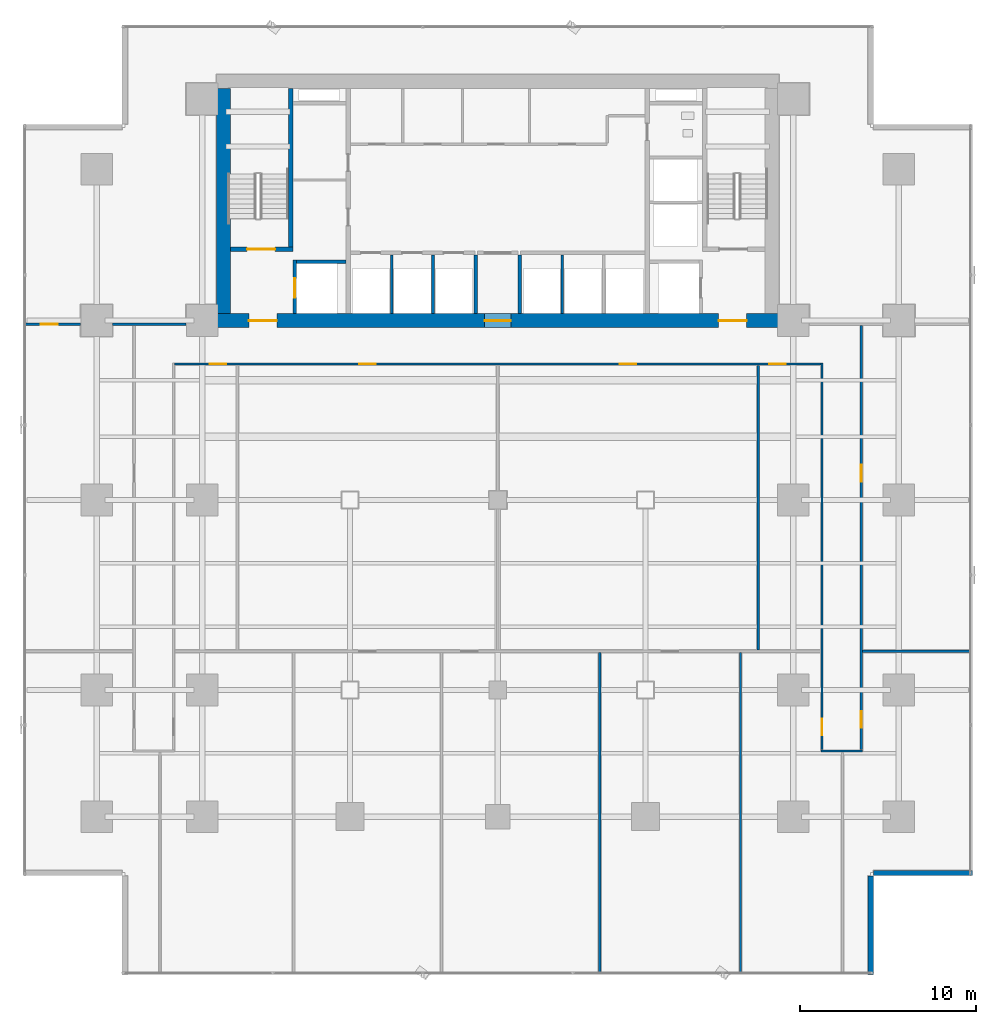
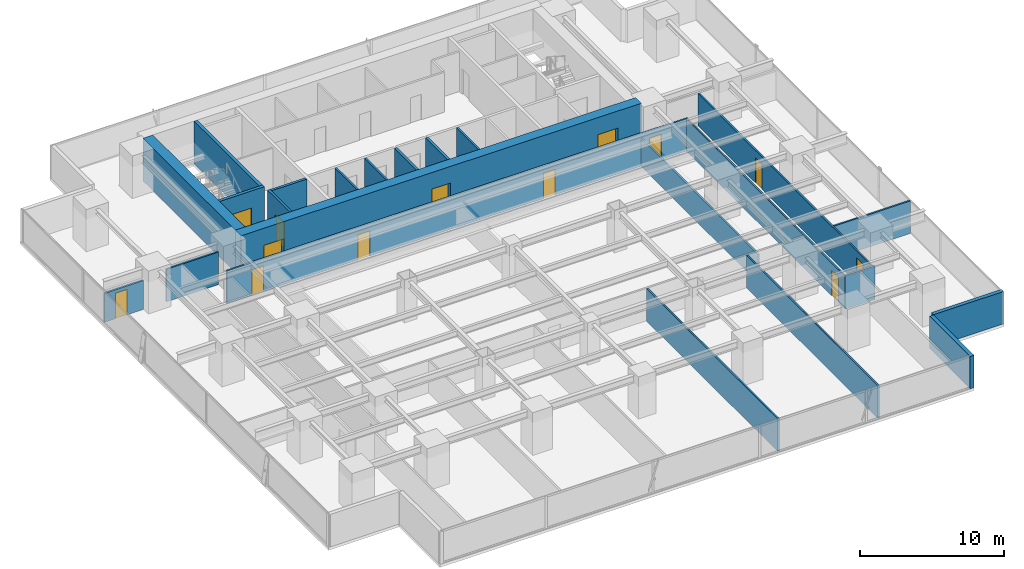
# One storey, part 25 of 34: 23 walls, 13 doors, 13 openings.
"""IFC4 building model written with IfcOpenShell, lengths in metres."""

import ifcopenshell
import ifcopenshell.guid

model = None  # the IFC model being written
_history = None  # IfcOwnerHistory: only IFC2X3 demands one
_inside = {}  # id of a spatial element -> (the spatial element, [elements in it])
_under = {}  # id of a project, library or spatial element -> (it, [spatial elements below it])
_declared = {}  # id of a project -> (the project, [libraries it declares])
_typed = {}  # id of a type object -> (the type object, [elements of that type])
_made_of = {}  # id of a material, layer set ... -> (it, [elements and type objects made of it])


def new_model(schema):
    """Start an empty IFC model of exactly this schema.

    Asked for "IFC4X3", IfcOpenShell would pick the latest addendum, in which some entities
    have other attributes; the version numbers below select the first issue.
    IFC2X3 requires an IfcOwnerHistory on every rooted entity: one is made here for all.
    """
    global model, _history
    if schema == "IFC4X3":
        model = ifcopenshell.file(schema_version=(4, 3, 0, 0))
    else:
        model = ifcopenshell.file(schema=schema)
    _inside.clear()
    _under.clear()
    _declared.clear()
    _typed.clear()
    _made_of.clear()
    _history = None
    if model.schema == "IFC2X3":
        org = make("IfcOrganization", Name="unknown")
        user = make(
            "IfcPersonAndOrganization",
            ThePerson=make("IfcPerson", FamilyName="unknown"),
            TheOrganization=org,
        )
        app = make(
            "IfcApplication",
            ApplicationDeveloper=org,
            Version="unknown",
            ApplicationFullName="unknown",
            ApplicationIdentifier="unknown",
        )
        _history = make(
            "IfcOwnerHistory",
            OwningUser=user,
            OwningApplication=app,
            ChangeAction="ADDED",
            CreationDate=0,
        )
    return model


def make(cls, **values):
    """One entity of the class cls with the attributes given. An attribute that is None is left unset."""
    return model.create_entity(
        cls, **{name: value for name, value in values.items() if value is not None}
    )


def rooted(cls, **values):
    """An entity with a GlobalId (a new one), such as an element, a storey or a relation."""
    return make(cls, GlobalId=ifcopenshell.guid.new(), OwnerHistory=_history, **values)


def si_unit(unit_type, name, prefix=None):
    """IfcSIUnit, for example si_unit("LENGTHUNIT", "METRE", prefix="MILLI")."""
    return make("IfcSIUnit", UnitType=unit_type, Prefix=prefix, Name=name)


def assignment(units):
    """IfcUnitAssignment: the units of a project."""
    return None if units is None else make("IfcUnitAssignment", Units=units)


def point(xyz):
    """IfcCartesianPoint."""
    return None if xyz is None else make("IfcCartesianPoint", Coordinates=xyz)


def direction(xyz):
    """IfcDirection."""
    return None if xyz is None else make("IfcDirection", DirectionRatios=xyz)


def frame(location, z_axis=None, x_axis=None):
    """IfcAxis2Placement3D, a coordinate frame: its origin and axes. An axis left out is left unset."""
    return make(
        "IfcAxis2Placement3D",
        Location=point(location),
        Axis=direction(z_axis),
        RefDirection=direction(x_axis),
    )


def frame_2d(location, x_axis=None):
    """IfcAxis2Placement2D, a coordinate frame in the plane: its origin and x axis."""
    return make(
        "IfcAxis2Placement2D", Location=point(location), RefDirection=direction(x_axis)
    )


def origin():
    """The frame at (0, 0, 0) with its axes left unset."""
    return frame((0.0, 0.0, 0.0))


def place(relative_to, where):
    """IfcLocalPlacement: puts the frame where relative to a parent placement (None: the world)."""
    return make(
        "IfcLocalPlacement", PlacementRelTo=relative_to, RelativePlacement=where
    )


def context(
    kind, dimensions, precision=None, world=None, true_north=None, identifier=None
):
    """IfcGeometricRepresentationContext, for example the 3D "Model" context."""
    return make(
        "IfcGeometricRepresentationContext",
        ContextIdentifier=identifier,
        ContextType=kind,
        CoordinateSpaceDimension=dimensions,
        Precision=precision,
        WorldCoordinateSystem=world,
        TrueNorth=true_north,
    )


def subcontext(parent, identifier, kind, view, scale=None):
    """IfcGeometricRepresentationSubContext, for example "Body" below "Model"."""
    return make(
        "IfcGeometricRepresentationSubContext",
        ContextIdentifier=identifier,
        ContextType=kind,
        ParentContext=parent,
        TargetScale=scale,
        TargetView=view,
    )


def project(units=None, contexts=None):
    """IfcProject with its units and contexts."""
    return rooted(
        "IfcProject",
        Name="project",
        RepresentationContexts=contexts,
        UnitsInContext=assignment(units),
    )


def spatial(cls, under=None, at=None, **own):
    """A site, building, storey or space (cls), placed at a placement, below another one or the project."""
    s = rooted(cls, ObjectPlacement=at, **own)
    if under is not None:
        _under.setdefault(under.id(), (under, []))[1].append(s)
    return s


def profile(cls, at=None, kind="AREA", **sizes):
    """A parametric profile (cls). Its sizes go by their IFC names, for example OverallWidth=200.0."""
    return make(cls, ProfileType=kind, Position=at, **sizes)


def rectangle(**sizes):
    """IfcRectangleProfileDef."""
    return profile("IfcRectangleProfileDef", **sizes)


def extrude(swept, where, along, depth):
    """IfcExtrudedAreaSolid: the profile swept, set in the frame where, extruded along a direction by depth."""
    return make(
        "IfcExtrudedAreaSolid",
        SweptArea=swept,
        Position=where,
        ExtrudedDirection=direction(along),
        Depth=depth,
    )


def shape(context_of_items, identifier, shape_type, items):
    """IfcShapeRepresentation: the items that make up one representation, for example the "Body"."""
    return make(
        "IfcShapeRepresentation",
        ContextOfItems=context_of_items,
        RepresentationIdentifier=identifier,
        RepresentationType=shape_type,
        Items=items,
    )


def source(mapping_origin, context_of_items, identifier, shape_type, items):
    """IfcRepresentationMap: a shape defined once, which mapped items show again and again."""
    return make(
        "IfcRepresentationMap",
        MappingOrigin=mapping_origin,
        MappedRepresentation=shape(context_of_items, identifier, shape_type, items),
    )


def transform(
    local_origin,
    x_axis=None,
    y_axis=None,
    z_axis=None,
    scale=None,
    scale2=None,
    scale3=None,
    uniform=True,
):
    """IfcCartesianTransformationOperator3D, or its non-uniform kind. x_axis, y_axis, z_axis: its Axis1, 2, 3."""
    if uniform:
        return make(
            "IfcCartesianTransformationOperator3D",
            Axis1=direction(x_axis),
            Axis2=direction(y_axis),
            LocalOrigin=point(local_origin),
            Scale=scale,
            Axis3=direction(z_axis),
        )
    return make(
        "IfcCartesianTransformationOperator3DnonUniform",
        Axis1=direction(x_axis),
        Axis2=direction(y_axis),
        LocalOrigin=point(local_origin),
        Scale=scale,
        Axis3=direction(z_axis),
        Scale2=scale2,
        Scale3=scale3,
    )


def mapped(mapping_source, mapping_target):
    """IfcMappedItem: shows the shape of a source again, moved by a transform."""
    return make(
        "IfcMappedItem", MappingSource=mapping_source, MappingTarget=mapping_target
    )


def material(Name=None, Category=None):
    """IfcMaterial."""
    return make("IfcMaterial", Name=Name, Category=Category)


def layer(
    of_material, thickness, ventilated=None, Name=None, Category=None, Priority=None
):
    """IfcMaterialLayer: one layer of a wall or slab, of a material (None: an air gap)."""
    return make(
        "IfcMaterialLayer",
        Material=of_material,
        LayerThickness=thickness,
        IsVentilated=ventilated,
        Name=Name,
        Category=Category,
        Priority=Priority,
    )


def layer_set(layers, Name=None):
    """IfcMaterialLayerSet."""
    return make("IfcMaterialLayerSet", MaterialLayers=layers, LayerSetName=Name)


def made_of(thing, what):
    """Note that an element or type object is made of a material, layer set ...; save() writes the relation."""
    if what is not None:
        _made_of.setdefault(what.id(), (what, []))[1].append(thing)
    return thing


def type_object(cls, material=None, **own):
    """A type object (cls), such as IfcWallType, which elements share."""
    return made_of(rooted(cls, **own), material)


def element(
    cls,
    number,
    at=None,
    inside=None,
    cuts=None,
    type_object=None,
    material=None,
    context=None,
    identifier="Body",
    shape_type=None,
    held_by="IfcProductDefinitionShape",
    body=None,
    shapes=None,
    **own,
):
    """One element of the class cls, such as IfcWall. Its Tag is "e" and its number.

    at: its placement. inside: the storey or other place that contains it. cuts: it is an
    opening in that element (IfcRelVoidsElement). A single representation is given by context,
    identifier, shape_type and body (its items); several are given by shapes. held_by: the class
    of the entity that holds the representations. save() writes the other relations.
    """
    e = rooted(cls, Tag="e%d" % number, ObjectPlacement=at, **own)
    if body is not None:
        shapes = [shape(context, identifier, shape_type, body)]
    if shapes is not None:
        e.Representation = make(held_by, Representations=shapes)
    if inside is not None:
        _inside.setdefault(inside.id(), (inside, []))[1].append(e)
    if cuts is not None:
        rooted(
            "IfcRelVoidsElement", RelatingBuildingElement=cuts, RelatedOpeningElement=e
        )
    if type_object is not None:
        _typed.setdefault(type_object.id(), (type_object, []))[1].append(e)
    return made_of(e, material)


def fill(opening, filler):
    """IfcRelFillsElement: the door or window that sits in an opening."""
    return rooted(
        "IfcRelFillsElement",
        RelatingOpeningElement=opening,
        RelatedBuildingElement=filler,
    )


def aggregate(whole, parts):
    """IfcRelAggregates: a whole, such as a stair, and the parts it consists of."""
    return rooted("IfcRelAggregates", RelatingObject=whole, RelatedObjects=parts)


def save(model, path):
    """Write the relations noted so far, then the file.

    IfcRelAggregates (storeys below a building ...), IfcRelContainedInSpatialStructure (elements
    in a storey), IfcRelDefinesByType, IfcRelAssociatesMaterial and IfcRelDeclares: one each for
    every whole, place, type object, material and project.
    """
    for whole, parts in _under.values():
        aggregate(whole, parts)
    for where, things in _inside.values():
        rooted(
            "IfcRelContainedInSpatialStructure",
            RelatedElements=things,
            RelatingStructure=where,
        )
    for kind, things in _typed.values():
        rooted("IfcRelDefinesByType", RelatedObjects=things, RelatingType=kind)
    for what, things in _made_of.values():
        rooted("IfcRelAssociatesMaterial", RelatedObjects=things, RelatingMaterial=what)
    for by, libraries in _declared.values():
        rooted("IfcRelDeclares", RelatingContext=by, RelatedDefinitions=libraries)
    model.write(path)


model = new_model("IFC4")

# Units and contexts
model_context = context("Model", 3, precision=1e-05, world=origin(), true_north=direction((0.0, 1.0)))
body_context = subcontext(model_context, "Body", "Model", "MODEL_VIEW")
ifc_project = project(units=[si_unit("LENGTHUNIT", "METRE"), si_unit("AREAUNIT", "SQUARE_METRE"), si_unit("VOLUMEUNIT", "CUBIC_METRE"), si_unit("PLANEANGLEUNIT", "RADIAN"), si_unit("MASSUNIT", "GRAM", prefix="KILO")], contexts=[model_context])

# Site, building, storey
site_placement = place(None, origin())
site = spatial("IfcSite", under=ifc_project, at=site_placement, CompositionType="ELEMENT")
building_placement = place(site_placement, origin())
building = spatial("IfcBuilding", under=site, at=building_placement, Name="Sumidabori Civic Tower", CompositionType="ELEMENT")
storey_placement = place(building_placement, frame((0.0, 0.0, 41.60009765625)))
storey = spatial("IfcBuildingStorey", under=building, at=storey_placement, Name="L10", CompositionType="ELEMENT", Elevation=41.60009765625)

# Wall, openings, doors
ifc_material_1 = material(Name="Concrete C60/75", Category="concrete")
ifc_layer_1 = layer(ifc_material_1, 0.800048828125, Name="Concrete C60/75")
ifc_layer_set_1 = layer_set([ifc_layer_1], Name="Concrete C60/75")
wall_type_1 = type_object("IfcWallType", Name="WL-CORE-800", PredefinedType="SHEAR", material=ifc_layer_set_1)
shared_shape_1 = source(origin(), body_context, "Body", "SweptSolid", [
    extrude(rectangle(XDim=32.0, YDim=0.800048828125, at=frame_2d((16.0, 0.0))), origin(), (0.0, 0.0, 1.0), 3.599853515625),
])
wall_1_placement = place(storey_placement, frame((-16.0, 10.199951171875, 0.0), z_axis=(0.0, 0.0, 1.0), x_axis=(1.0, 0.0, 0.0)))
wall_1 = element("IfcWall", 1, at=wall_1_placement, inside=storey, type_object=wall_type_1, Name="Core Shear Wall L10 S", PredefinedType="SHEAR", context=body_context, shape_type="MappedRepresentation", body=[
    mapped(shared_shape_1, transform((0.0, 0.0, 0.0), x_axis=(1.0, 0.0, 0.0), y_axis=(0.0, 1.0, 0.0), z_axis=(0.0, 0.0, 1.0), scale=1.0)),
])
opening_1_placement = place(wall_1_placement, frame((1.85009765625, 0.0, 0.0)))
opening_1 = element("IfcOpeningElement", 2, at=opening_1_placement, cuts=wall_1, Name="Opening DR-FD4", PredefinedType="OPENING", context=body_context, shape_type="SweptSolid", body=[
    extrude(rectangle(XDim=1.60009765625, YDim=2.14990234375, at=frame_2d((0.800048828125, 1.074951171875))), frame((0.0, 0.412109375, 0.0), z_axis=(0.0, -1.0, 0.0), x_axis=(1.0, 0.0, 0.0)), (0.0, 0.0, 1.0), 0.823974609375),
])
opening_2_placement = place(wall_1_placement, frame((28.550048828125, 0.0, 0.0)))
opening_2 = element("IfcOpeningElement", 3, at=opening_2_placement, cuts=wall_1, Name="Opening DR-FD4", PredefinedType="OPENING", context=body_context, shape_type="SweptSolid", body=[
    extrude(rectangle(XDim=1.60009765625, YDim=2.14990234375, at=frame_2d((0.800048828125, 1.074951171875))), frame((0.0, 0.412109375, 0.0), z_axis=(0.0, -1.0, 0.0), x_axis=(1.0, 0.0, 0.0)), (0.0, 0.0, 1.0), 0.823974609375),
])
opening_3_placement = place(wall_1_placement, frame((15.25, 0.0, 0.0)))
opening_3 = element("IfcOpeningElement", 4, at=opening_3_placement, cuts=wall_1, Name="Opening DR-FD3", PredefinedType="OPENING", context=body_context, shape_type="SweptSolid", body=[
    extrude(rectangle(XDim=1.5, YDim=2.199951171875, at=frame_2d((0.75, 1.10009765625))), frame((0.0, 0.412109375, 0.0), z_axis=(0.0, -1.0, 0.0), x_axis=(1.0, 0.0, 0.0)), (0.0, 0.0, 1.0), 0.823974609375),
])
ifc_material_2 = material(Name="Steel SN490", Category="steel")
door_type_1 = type_object("IfcDoorType", Name="DR-FD4", OperationType="DOUBLE_DOOR_SINGLE_SWING", PredefinedType="DOOR", material=ifc_material_2)
shared_shape_2 = source(origin(), body_context, "Body", "SweptSolid", [
    extrude(rectangle(XDim=1.60009765625, YDim=2.14990234375, at=frame_2d((0.800048828125, 1.074951171875))), frame((0.0, 0.02490234375, 0.0), z_axis=(0.0, -1.0, 0.0), x_axis=(1.0, 0.0, 0.0)), (0.0, 0.0, 1.0), 0.050048828125),
])
door_1_placement = place(opening_1_placement, origin())
door_1 = element("IfcDoor", 5, at=door_1_placement, inside=storey, type_object=door_type_1, Name="Door DR:L10:ELOB-W", OperationType="DOUBLE_DOOR_SINGLE_SWING", OverallHeight=2.14990234375, OverallWidth=1.60009765625, PredefinedType="DOOR", context=body_context, shape_type="MappedRepresentation", body=[
    mapped(shared_shape_2, transform((0.0, 0.0, 0.0), x_axis=(1.0, 0.0, 0.0), y_axis=(0.0, 1.0, 0.0), z_axis=(0.0, 0.0, 1.0), scale=1.0)),
])
fill(opening_1, door_1)
door_2_placement = place(opening_2_placement, origin())
door_2 = element("IfcDoor", 6, at=door_2_placement, inside=storey, type_object=door_type_1, Name="Door DR:L10:ELOB-E", OperationType="DOUBLE_DOOR_SINGLE_SWING", OverallHeight=2.14990234375, OverallWidth=1.60009765625, PredefinedType="DOOR", context=body_context, shape_type="MappedRepresentation", body=[
    mapped(shared_shape_2, transform((0.0, 0.0, 0.0), x_axis=(1.0, 0.0, 0.0), y_axis=(0.0, 1.0, 0.0), z_axis=(0.0, 0.0, 1.0), scale=1.0)),
])
fill(opening_2, door_2)
door_type_2 = type_object("IfcDoorType", Name="DR-FD-DBL", OperationType="DOUBLE_DOOR_SINGLE_SWING", PredefinedType="DOOR", material=ifc_material_2)
shared_shape_3 = source(origin(), body_context, "Body", "SweptSolid", [
    extrude(rectangle(XDim=1.5, YDim=2.199951171875, at=frame_2d((0.75, 1.10009765625))), frame((0.0, 0.02490234375, 0.0), z_axis=(0.0, -1.0, 0.0), x_axis=(1.0, 0.0, 0.0)), (0.0, 0.0, 1.0), 0.050048828125),
])
door_3_placement = place(opening_3_placement, origin())
door_3 = element("IfcDoor", 7, at=door_3_placement, inside=storey, type_object=door_type_2, Name="Door DR:L10:THROAT-OUT", OperationType="DOUBLE_DOOR_SINGLE_SWING", OverallHeight=2.199951171875, OverallWidth=1.5, PredefinedType="DOOR", context=body_context, shape_type="MappedRepresentation", body=[
    mapped(shared_shape_3, transform((0.0, 0.0, 0.0), x_axis=(1.0, 0.0, 0.0), y_axis=(0.0, 1.0, 0.0), z_axis=(0.0, 0.0, 1.0), scale=1.0)),
])
fill(opening_3, door_3)

# Wall
shared_shape_4 = source(origin(), body_context, "Body", "SweptSolid", [
    extrude(rectangle(XDim=12.7998046875, YDim=0.800048828125, at=frame_2d((6.39990234375, 0.0))), origin(), (0.0, 0.0, 1.0), 3.599853515625),
])
wall_2_placement = place(storey_placement, frame((-15.60009765625, 10.60009765625, 0.0), z_axis=(0.0, 0.0, 1.0), x_axis=(0.0, 1.0, 0.0)))
element("IfcWall", 8, at=wall_2_placement, inside=storey, type_object=wall_type_1, Name="Core Shear Wall L10 W", PredefinedType="SHEAR", context=body_context, shape_type="MappedRepresentation", body=[
    mapped(shared_shape_4, transform((0.0, 0.0, 0.0), x_axis=(1.0, 0.0, 0.0), y_axis=(0.0, 1.0, 0.0), z_axis=(0.0, 0.0, 1.0), scale=1.0)),
])

# Wall, opening, door
ifc_material_3 = material(Name="Concrete C50/60", Category="concrete")
ifc_layer_2 = layer(ifc_material_3, 0.25, Name="Concrete C50/60")
ifc_layer_set_2 = layer_set([ifc_layer_2], Name="Concrete C50/60")
wall_type_2 = type_object("IfcWallType", Name="WL-SHAFT-250", PredefinedType="SHEAR", material=ifc_layer_set_2)
shared_shape_5 = source(origin(), body_context, "Body", "SweptSolid", [
    extrude(rectangle(XDim=3.554931640625, YDim=0.25, at=frame_2d((1.77734375, 0.0))), origin(), (0.0, 0.0, 1.0), 3.599853515625),
])
wall_3_placement = place(storey_placement, frame((-15.199951171875, 14.25, 0.0), z_axis=(0.0, 0.0, 1.0), x_axis=(1.0, 0.0, 0.0)))
wall_3 = element("IfcWall", 9, at=wall_3_placement, inside=storey, type_object=wall_type_2, Name="Core Shear Wall L10 ST1-S", PredefinedType="SHEAR", context=body_context, shape_type="MappedRepresentation", body=[
    mapped(shared_shape_5, transform((0.0, 0.0, 0.0), x_axis=(1.0, 0.0, 0.0), y_axis=(0.0, 1.0, 0.0), z_axis=(0.0, 0.0, 1.0), scale=1.0)),
])
opening_4_placement = place(wall_3_placement, frame((0.949951171875, 0.0, 0.0)))
opening_4 = element("IfcOpeningElement", 10, at=opening_4_placement, cuts=wall_3, Name="Opening DR-FD4", PredefinedType="OPENING", context=body_context, shape_type="SweptSolid", body=[
    extrude(rectangle(XDim=1.60009765625, YDim=2.14990234375, at=frame_2d((0.800048828125, 1.074951171875))), frame((0.0, 0.136962890625, 0.0), z_axis=(0.0, -1.0, 0.0), x_axis=(1.0, 0.0, 0.0)), (0.0, 0.0, 1.0), 0.27392578125),
])
door_4_placement = place(opening_4_placement, origin())
door_4 = element("IfcDoor", 11, at=door_4_placement, inside=storey, type_object=door_type_1, Name="Door DR:L10:ST1", OperationType="DOUBLE_DOOR_SINGLE_SWING", OverallHeight=2.14990234375, OverallWidth=1.60009765625, PredefinedType="DOOR", context=body_context, shape_type="MappedRepresentation", body=[
    mapped(shared_shape_2, transform((0.0, 0.0, 0.0), x_axis=(1.0, 0.0, 0.0), y_axis=(0.0, 1.0, 0.0), z_axis=(0.0, 0.0, 1.0), scale=1.0)),
])
fill(opening_4, door_4)

# Wall
shared_shape_6 = source(origin(), body_context, "Body", "SweptSolid", [
    extrude(rectangle(XDim=9.02490234375, YDim=0.25, at=frame_2d((4.512451171875, 0.0))), origin(), (0.0, 0.0, 1.0), 3.599853515625),
])
wall_4_placement = place(storey_placement, frame((-11.77001953125, 14.375, 0.0), z_axis=(0.0, 0.0, 1.0), x_axis=(0.0, 1.0, 0.0)))
element("IfcWall", 12, at=wall_4_placement, inside=storey, type_object=wall_type_2, Name="Core Shear Wall L10 ST1-E", PredefinedType="SHEAR", context=body_context, shape_type="MappedRepresentation", body=[
    mapped(shared_shape_6, transform((0.0, 0.0, 0.0), x_axis=(1.0, 0.0, 0.0), y_axis=(0.0, 1.0, 0.0), z_axis=(0.0, 0.0, 1.0), scale=1.0)),
])

# Wall, opening, door
ifc_layer_3 = layer(ifc_material_3, 0.199951171875, Name="Concrete C50/60")
ifc_layer_set_3 = layer_set([ifc_layer_3], Name="Concrete C50/60")
wall_type_3 = type_object("IfcWallType", Name="WL-SHAFT-200", PredefinedType="SHEAR", material=ifc_layer_set_3)
shared_shape_7 = source(origin(), body_context, "Body", "SweptSolid", [
    extrude(rectangle(XDim=3.0498046875, YDim=0.199951171875, at=frame_2d((1.52490234375, 0.0))), origin(), (0.0, 0.0, 1.0), 3.599853515625),
])
wall_5_placement = place(storey_placement, frame((-11.550048828125, 10.60009765625, 0.0), z_axis=(0.0, 0.0, 1.0), x_axis=(0.0, 1.0, 0.0)))
wall_5 = element("IfcWall", 13, at=wall_5_placement, inside=storey, type_object=wall_type_3, Name="Core Shear Wall L10 EL1-W", PredefinedType="SHEAR", context=body_context, shape_type="MappedRepresentation", body=[
    mapped(shared_shape_7, transform((0.0, 0.0, 0.0), x_axis=(1.0, 0.0, 0.0), y_axis=(0.0, 1.0, 0.0), z_axis=(0.0, 0.0, 1.0), scale=1.0)),
])
opening_5_placement = place(wall_5_placement, frame((0.89990234375, 0.0, 0.0)))
opening_5 = element("IfcOpeningElement", 14, at=opening_5_placement, cuts=wall_5, Name="Opening LD-2", PredefinedType="OPENING", context=body_context, shape_type="SweptSolid", body=[
    extrude(rectangle(XDim=1.10009765625, YDim=2.14990234375, at=frame_2d((0.550048828125, 1.074951171875))), frame((0.0, 0.11181640625, 0.0), z_axis=(0.0, -1.0, 0.0), x_axis=(1.0, 0.0, 0.0)), (0.0, 0.0, 1.0), 0.223876953125),
])
ifc_material_4 = material(Name="Stainless Steel Hairline Finish", Category="steel")
door_type_3 = type_object("IfcDoorType", Name="DR-LD2", OperationType="DOUBLE_DOOR_SLIDING", PredefinedType="DOOR", material=ifc_material_4)
shared_shape_8 = source(origin(), body_context, "Body", "SweptSolid", [
    extrude(rectangle(XDim=1.10009765625, YDim=2.14990234375, at=frame_2d((0.550048828125, 1.074951171875))), frame((0.0, 0.02490234375, 0.0), z_axis=(0.0, -1.0, 0.0), x_axis=(1.0, 0.0, 0.0)), (0.0, 0.0, 1.0), 0.050048828125),
])
door_5_placement = place(opening_5_placement, origin())
door_5 = element("IfcDoor", 15, at=door_5_placement, inside=storey, type_object=door_type_3, Name="Door DR:L10:LD-EL1", OperationType="DOUBLE_DOOR_SLIDING", OverallHeight=2.14990234375, OverallWidth=1.10009765625, PredefinedType="DOOR", context=body_context, shape_type="MappedRepresentation", body=[
    mapped(shared_shape_8, transform((0.0, 0.0, 0.0), x_axis=(1.0, 0.0, 0.0), y_axis=(0.0, 1.0, 0.0), z_axis=(0.0, 0.0, 1.0), scale=1.0)),
])
fill(opening_5, door_5)

# Walls
shared_shape_9 = source(origin(), body_context, "Body", "SweptSolid", [
    extrude(rectangle(XDim=2.824951171875, YDim=0.199951171875, at=frame_2d((1.41259765625, 0.0))), origin(), (0.0, 0.0, 1.0), 3.599853515625),
])
wall_6_placement = place(storey_placement, frame((-11.449951171875, 13.550048828125, 0.0), z_axis=(0.0, 0.0, 1.0), x_axis=(1.0, 0.0, 0.0)))
element("IfcWall", 16, at=wall_6_placement, inside=storey, type_object=wall_type_3, Name="Core Shear Wall L10 EL1-N", PredefinedType="SHEAR", context=body_context, shape_type="MappedRepresentation", body=[
    mapped(shared_shape_9, transform((0.0, 0.0, 0.0), x_axis=(1.0, 0.0, 0.0), y_axis=(0.0, 1.0, 0.0), z_axis=(0.0, 0.0, 1.0), scale=1.0)),
])
ifc_material_5 = material(Name="Precast concrete C40/50", Category="concrete")
ifc_layer_4 = layer(ifc_material_5, 0.300048828125, Name="Precast concrete C40/50")
ifc_layer_set_4 = layer_set([ifc_layer_4], Name="Precast concrete C40/50")
wall_type_4 = type_object("IfcWallType", Name="WL-EXT-POD300", PredefinedType="STANDARD", material=ifc_layer_set_4)
shared_shape_10 = source(origin(), body_context, "Body", "SweptSolid", [
    extrude(rectangle(XDim=5.60986328125, YDim=0.300048828125, at=frame_2d((2.804931640625, 0.0))), origin(), (0.0, 0.0, 1.0), 2.739990234375),
])
for number, where, z_axis, x_axis, name in (
    (17, (21.199951171875, -26.97998046875, 0.0), (0.0, 0.0, 1.0), (0.0, 1.0, 0.0), "Notched Corner Spandrel Band L10-02"),
    (18, (21.3701171875, -21.199951171875, 0.0), (0.0, 0.0, 1.0), (1.0, 0.0, 0.0), "Notched Corner Spandrel Band L10-03"),
):
    element("IfcWall", number, at=place(storey_placement, frame(where, z_axis=z_axis, x_axis=x_axis)), inside=storey, type_object=wall_type_4, Name=name, PredefinedType="STANDARD", context=body_context, shape_type="MappedRepresentation", body=[
        mapped(shared_shape_10, transform((0.0, 0.0, 0.0), x_axis=(1.0, 0.0, 0.0), y_axis=(0.0, 1.0, 0.0), z_axis=(0.0, 0.0, 1.0), scale=1.0)),
    ])
ifc_material_6 = material(Name="Gypsum Plasterboard Fire Partition")
ifc_layer_5 = layer(ifc_material_6, 0.199951171875, Name="Gypsum Plasterboard Fire Partition")
ifc_layer_set_5 = layer_set([ifc_layer_5], Name="Gypsum Plasterboard Fire Partition")
wall_type_5 = type_object("IfcWallType", Name="WL-PART-FIRE", PredefinedType="PARTITIONING", material=ifc_layer_set_5)
shared_shape_11 = source(origin(), body_context, "Body", "SweptSolid", [
    extrude(rectangle(XDim=3.33984375, YDim=0.199951171875, at=frame_2d((1.669921875, 0.0))), origin(), (0.0, 0.0, 1.0), 3.35986328125),
])
for number, where, z_axis, x_axis, name in (
    (19, (-1.25, 10.60009765625, 0.0), (0.0, 0.0, 1.0), (0.0, 1.0, 0.0), "Interior Partition WL:L10:THROAT-W"),
    (20, (1.25, 10.60009765625, 0.0), (0.0, 0.0, 1.0), (0.0, 1.0, 0.0), "Interior Partition WL:L10:THROAT-E"),
):
    element("IfcWall", number, at=place(storey_placement, frame(where, z_axis=z_axis, x_axis=x_axis)), inside=storey, type_object=wall_type_5, Name=name, PredefinedType="PARTITIONING", context=body_context, shape_type="MappedRepresentation", body=[
        mapped(shared_shape_11, transform((0.0, 0.0, 0.0), x_axis=(1.0, 0.0, 0.0), y_axis=(0.0, 1.0, 0.0), z_axis=(0.0, 0.0, 1.0), scale=1.0)),
    ])
ifc_material_7 = material(Name="Gypsum Plasterboard Acoustic Partition")
ifc_layer_6 = layer(ifc_material_7, 0.14990234375, Name="Gypsum Plasterboard Acoustic Partition")
ifc_layer_set_6 = layer_set([ifc_layer_6], Name="Gypsum Plasterboard Acoustic Partition")
wall_type_6 = type_object("IfcWallType", Name="WL-PART-150", PredefinedType="PARTITIONING", material=ifc_layer_set_6)
shared_shape_12 = source(origin(), body_context, "Body", "SweptSolid", [
    extrude(rectangle(XDim=3.33984375, YDim=0.14990234375, at=frame_2d((1.669921875, 0.0))), origin(), (0.0, 0.0, 1.0), 3.35986328125),
])
for number, where, z_axis, x_axis, name in (
    (21, (-6.030029296875, 10.60009765625, 0.0), (0.0, 0.0, 1.0), (0.0, 1.0, 0.0), "Interior Partition WL:L10:DIV-PLL1"),
    (22, (-3.679931640625, 10.60009765625, 0.0), (0.0, 0.0, 1.0), (0.0, 1.0, 0.0), "Interior Partition WL:L10:DIV-PLL2"),
    (23, (3.669921875, 10.60009765625, 0.0), (0.0, 0.0, 1.0), (0.0, 1.0, 0.0), "Interior Partition WL:L10:DIV-PLM1"),
):
    element("IfcWall", number, at=place(storey_placement, frame(where, z_axis=z_axis, x_axis=x_axis)), inside=storey, type_object=wall_type_6, Name=name, PredefinedType="PARTITIONING", context=body_context, shape_type="MappedRepresentation", body=[
        mapped(shared_shape_12, transform((0.0, 0.0, 0.0), x_axis=(1.0, 0.0, 0.0), y_axis=(0.0, 1.0, 0.0), z_axis=(0.0, 0.0, 1.0), scale=1.0)),
    ])

# Wall, opening, door
ifc_layer_7 = layer(ifc_material_7, 0.135009765625, Name="Gypsum Plasterboard Acoustic Partition")
ifc_layer_set_7 = layer_set([ifc_layer_7], Name="Gypsum Plasterboard Acoustic Partition")
wall_type_7 = type_object("IfcWallType", Name="WL-PART-135", PredefinedType="PARTITIONING", material=ifc_layer_set_7)
shared_shape_13 = source(origin(), body_context, "Body", "SweptSolid", [
    extrude(rectangle(XDim=3.14013671875, YDim=0.135009765625, at=frame_2d((1.570068359375, 0.0))), origin(), (0.0, 0.0, 1.0), 2.434814453125),
])
wall_7_placement = place(storey_placement, frame((-26.85009765625, 10.0, 0.0), z_axis=(0.0, 0.0, 1.0), x_axis=(1.0, 0.0, 0.0)))
wall_7 = element("IfcWall", 24, at=wall_7_placement, inside=storey, type_object=wall_type_7, Name="Interior Partition WL:L10:FLK-NW-1", PredefinedType="PARTITIONING", context=body_context, shape_type="MappedRepresentation", body=[
    mapped(shared_shape_13, transform((0.0, 0.0, 0.0), x_axis=(1.0, 0.0, 0.0), y_axis=(0.0, 1.0, 0.0), z_axis=(0.0, 0.0, 1.0), scale=1.0)),
])
opening_6_placement = place(wall_7_placement, frame((0.875, 0.0, 0.0)))
opening_6 = element("IfcOpeningElement", 25, at=opening_6_placement, cuts=wall_7, Name="Opening DR-2", PredefinedType="OPENING", context=body_context, shape_type="SweptSolid", body=[
    extrude(rectangle(XDim=0.949951171875, YDim=2.14990234375, at=frame_2d((0.47509765625, 1.074951171875))), frame((0.0, 0.07958984375, 0.0), z_axis=(0.0, -1.0, 0.0), x_axis=(1.0, 0.0, 0.0)), (0.0, 0.0, 1.0), 0.158935546875),
])
ifc_material_8 = material(Name="Japanese Hinoki Timber", Category="wood")
door_type_4 = type_object("IfcDoorType", Name="DR-INT-950", OperationType="NOTDEFINED", PredefinedType="DOOR", material=ifc_material_8)
shared_shape_14 = source(origin(), body_context, "Body", "SweptSolid", [
    extrude(rectangle(XDim=0.949951171875, YDim=2.14990234375, at=frame_2d((0.47509765625, 1.074951171875))), frame((0.0, 0.02490234375, 0.0), z_axis=(0.0, -1.0, 0.0), x_axis=(1.0, 0.0, 0.0)), (0.0, 0.0, 1.0), 0.050048828125),
])
door_6_placement = place(opening_6_placement, origin())
door_6 = element("IfcDoor", 26, at=door_6_placement, inside=storey, type_object=door_type_4, Name="Door DR:L10:D11", OperationType="SINGLE_SWING_LEFT", OverallHeight=2.14990234375, OverallWidth=0.949951171875, PredefinedType="DOOR", context=body_context, shape_type="MappedRepresentation", body=[
    mapped(shared_shape_14, transform((0.0, 0.0, 0.0), x_axis=(1.0, 0.0, 0.0), y_axis=(0.0, 1.0, 0.0), z_axis=(0.0, 0.0, 1.0), scale=1.0)),
])
fill(opening_6, door_6)

# Wall
shared_shape_15 = source(origin(), body_context, "Body", "SweptSolid", [
    extrude(rectangle(XDim=4.179931640625, YDim=0.135009765625, at=frame_2d((2.08984375, 0.0))), origin(), (0.0, 0.0, 1.0), 2.744873046875),
])
wall_8_placement = place(storey_placement, frame((-21.889892578125, 10.0, 0.0), z_axis=(0.0, 0.0, 1.0), x_axis=(1.0, 0.0, 0.0)))
element("IfcWall", 27, at=wall_8_placement, inside=storey, type_object=wall_type_7, Name="Interior Partition WL:L10:FLK-NW-2", PredefinedType="PARTITIONING", context=body_context, shape_type="MappedRepresentation", body=[
    mapped(shared_shape_15, transform((0.0, 0.0, 0.0), x_axis=(1.0, 0.0, 0.0), y_axis=(0.0, 1.0, 0.0), z_axis=(0.0, 0.0, 1.0), scale=1.0)),
])

# Wall, openings, doors
shared_shape_16 = source(origin(), body_context, "Body", "SweptSolid", [
    extrude(rectangle(XDim=36.72998046875, YDim=0.135009765625, at=frame_2d((18.364990234375, 0.0))), origin(), (0.0, 0.0, 1.0), 2.744873046875),
])
wall_9_placement = place(storey_placement, frame((-18.364990234375, 7.732421875, 0.0), z_axis=(0.0, 0.0, 1.0), x_axis=(1.0, 0.0, 0.0)))
wall_9 = element("IfcWall", 28, at=wall_9_placement, inside=storey, type_object=wall_type_7, Name="Interior Partition WL:L10:CORR-S", PredefinedType="PARTITIONING", context=body_context, shape_type="MappedRepresentation", body=[
    mapped(shared_shape_16, transform((0.0, 0.0, 0.0), x_axis=(1.0, 0.0, 0.0), y_axis=(0.0, 1.0, 0.0), z_axis=(0.0, 0.0, 1.0), scale=1.0)),
])
opening_7_placement = place(wall_9_placement, frame((10.489990234375, 0.0, 0.0)))
opening_7 = element("IfcOpeningElement", 29, at=opening_7_placement, cuts=wall_9, Name="Opening DR-2", PredefinedType="OPENING", context=body_context, shape_type="SweptSolid", body=[
    extrude(rectangle(XDim=0.949951171875, YDim=2.14990234375, at=frame_2d((0.47509765625, 1.074951171875))), frame((0.0, 0.07958984375, 0.0), z_axis=(0.0, -1.0, 0.0), x_axis=(1.0, 0.0, 0.0)), (0.0, 0.0, 1.0), 0.158935546875),
])
opening_8_placement = place(wall_9_placement, frame((25.2900390625, 0.0, 0.0)))
opening_8 = element("IfcOpeningElement", 30, at=opening_8_placement, cuts=wall_9, Name="Opening DR-2", PredefinedType="OPENING", context=body_context, shape_type="SweptSolid", body=[
    extrude(rectangle(XDim=0.949951171875, YDim=2.14990234375, at=frame_2d((0.47509765625, 1.074951171875))), frame((0.0, 0.07958984375, 0.0), z_axis=(0.0, -1.0, 0.0), x_axis=(1.0, 0.0, 0.0)), (0.0, 0.0, 1.0), 0.158935546875),
])
opening_9_placement = place(wall_9_placement, frame((1.99365234375, 0.0, 0.0)))
opening_9 = element("IfcOpeningElement", 31, at=opening_9_placement, cuts=wall_9, Name="Opening DR-2", PredefinedType="OPENING", context=body_context, shape_type="SweptSolid", body=[
    extrude(rectangle(XDim=0.949951171875, YDim=2.14990234375, at=frame_2d((0.47509765625, 1.074951171875))), frame((0.0, 0.07958984375, 0.0), z_axis=(0.0, -1.0, 0.0), x_axis=(1.0, 0.0, 0.0)), (0.0, 0.0, 1.0), 0.158935546875),
])
opening_10_placement = place(wall_9_placement, frame((33.7861328125, 0.0, 0.0)))
opening_10 = element("IfcOpeningElement", 32, at=opening_10_placement, cuts=wall_9, Name="Opening DR-2", PredefinedType="OPENING", context=body_context, shape_type="SweptSolid", body=[
    extrude(rectangle(XDim=0.949951171875, YDim=2.14990234375, at=frame_2d((0.47509765625, 1.074951171875))), frame((0.0, 0.07958984375, 0.0), z_axis=(0.0, -1.0, 0.0), x_axis=(1.0, 0.0, 0.0)), (0.0, 0.0, 1.0), 0.158935546875),
])
door_7_placement = place(opening_7_placement, origin())
door_7 = element("IfcDoor", 33, at=door_7_placement, inside=storey, type_object=door_type_4, Name="Door DR:L10:D03", OperationType="SINGLE_SWING_LEFT", OverallHeight=2.14990234375, OverallWidth=0.949951171875, PredefinedType="DOOR", context=body_context, shape_type="MappedRepresentation", body=[
    mapped(shared_shape_14, transform((0.0, 0.0, 0.0), x_axis=(1.0, 0.0, 0.0), y_axis=(0.0, 1.0, 0.0), z_axis=(0.0, 0.0, 1.0), scale=1.0)),
])
fill(opening_7, door_7)
door_8_placement = place(opening_8_placement, origin())
door_8 = element("IfcDoor", 34, at=door_8_placement, inside=storey, type_object=door_type_4, Name="Door DR:L10:D04", OperationType="SINGLE_SWING_RIGHT", OverallHeight=2.14990234375, OverallWidth=0.949951171875, PredefinedType="DOOR", context=body_context, shape_type="MappedRepresentation", body=[
    mapped(shared_shape_14, transform((0.0, 0.0, 0.0), x_axis=(1.0, 0.0, 0.0), y_axis=(0.0, 1.0, 0.0), z_axis=(0.0, 0.0, 1.0), scale=1.0)),
])
fill(opening_8, door_8)
door_9_placement = place(opening_9_placement, origin())
door_9 = element("IfcDoor", 35, at=door_9_placement, inside=storey, type_object=door_type_4, Name="Door DR:L10:D05", OperationType="SINGLE_SWING_LEFT", OverallHeight=2.14990234375, OverallWidth=0.949951171875, PredefinedType="DOOR", context=body_context, shape_type="MappedRepresentation", body=[
    mapped(shared_shape_14, transform((0.0, 0.0, 0.0), x_axis=(1.0, 0.0, 0.0), y_axis=(0.0, 1.0, 0.0), z_axis=(0.0, 0.0, 1.0), scale=1.0)),
])
fill(opening_9, door_9)
door_10_placement = place(opening_10_placement, origin())
door_10 = element("IfcDoor", 36, at=door_10_placement, inside=storey, type_object=door_type_4, Name="Door DR:L10:D06", OperationType="SINGLE_SWING_RIGHT", OverallHeight=2.14990234375, OverallWidth=0.949951171875, PredefinedType="DOOR", context=body_context, shape_type="MappedRepresentation", body=[
    mapped(shared_shape_14, transform((0.0, 0.0, 0.0), x_axis=(1.0, 0.0, 0.0), y_axis=(0.0, 1.0, 0.0), z_axis=(0.0, 0.0, 1.0), scale=1.0)),
])
fill(opening_10, door_10)

# Wall
shared_shape_17 = source(origin(), body_context, "Body", "SweptSolid", [
    extrude(rectangle(XDim=2.3701171875, YDim=0.135009765625, at=frame_2d((1.18505859375, 0.0))), origin(), (0.0, 0.0, 1.0), 2.844970703125),
])
wall_10_placement = place(storey_placement, frame((18.364990234375, -14.267578125, 0.0), z_axis=(0.0, 0.0, 1.0), x_axis=(1.0, 0.0, 0.0)))
element("IfcWall", 37, at=wall_10_placement, inside=storey, type_object=wall_type_7, Name="Interior Partition WL:L10:CORR-CAP-E", PredefinedType="PARTITIONING", context=body_context, shape_type="MappedRepresentation", body=[
    mapped(shared_shape_17, transform((0.0, 0.0, 0.0), x_axis=(1.0, 0.0, 0.0), y_axis=(0.0, 1.0, 0.0), z_axis=(0.0, 0.0, 1.0), scale=1.0)),
])

# Wall, openings, doors
shared_shape_18 = source(origin(), body_context, "Body", "SweptSolid", [
    extrude(rectangle(XDim=24.12255859375, YDim=0.135009765625, at=frame_2d((12.061279296875, 0.0))), origin(), (0.0, 0.0, 1.0), 2.744873046875),
])
wall_11_placement = place(storey_placement, frame((20.66748046875, -14.195068359375, 0.0), z_axis=(0.0, 0.0, 1.0), x_axis=(0.0, 1.0, 0.0)))
wall_11 = element("IfcWall", 38, at=wall_11_placement, inside=storey, type_object=wall_type_7, Name="Interior Partition WL:L10:CORR-VE-OUT", PredefinedType="PARTITIONING", context=body_context, shape_type="MappedRepresentation", body=[
    mapped(shared_shape_18, transform((0.0, 0.0, 0.0), x_axis=(1.0, 0.0, 0.0), y_axis=(0.0, 1.0, 0.0), z_axis=(0.0, 0.0, 1.0), scale=1.0)),
])
opening_11_placement = place(wall_11_placement, frame((15.237548828125, 0.0, 0.0)))
opening_11 = element("IfcOpeningElement", 39, at=opening_11_placement, cuts=wall_11, Name="Opening DR-2", PredefinedType="OPENING", context=body_context, shape_type="SweptSolid", body=[
    extrude(rectangle(XDim=0.949951171875, YDim=2.14990234375, at=frame_2d((0.47509765625, 1.074951171875))), frame((0.0, 0.07958984375, 0.0), z_axis=(0.0, -1.0, 0.0), x_axis=(1.0, 0.0, 0.0)), (0.0, 0.0, 1.0), 0.158935546875),
])
opening_12_placement = place(wall_11_placement, frame((1.248779296875, 0.0, 0.0)))
opening_12 = element("IfcOpeningElement", 40, at=opening_12_placement, cuts=wall_11, Name="Opening DR-2", PredefinedType="OPENING", context=body_context, shape_type="SweptSolid", body=[
    extrude(rectangle(XDim=0.949951171875, YDim=2.14990234375, at=frame_2d((0.47509765625, 1.074951171875))), frame((0.0, 0.07958984375, 0.0), z_axis=(0.0, -1.0, 0.0), x_axis=(1.0, 0.0, 0.0)), (0.0, 0.0, 1.0), 0.158935546875),
])
door_11_placement = place(opening_11_placement, origin())
door_11 = element("IfcDoor", 41, at=door_11_placement, inside=storey, type_object=door_type_4, Name="Door DR:L10:D02", OperationType="SINGLE_SWING_RIGHT", OverallHeight=2.14990234375, OverallWidth=0.949951171875, PredefinedType="DOOR", context=body_context, shape_type="MappedRepresentation", body=[
    mapped(shared_shape_14, transform((0.0, 0.0, 0.0), x_axis=(1.0, 0.0, 0.0), y_axis=(0.0, 1.0, 0.0), z_axis=(0.0, 0.0, 1.0), scale=1.0)),
])
fill(opening_11, door_11)
door_12_placement = place(opening_12_placement, origin())
door_12 = element("IfcDoor", 42, at=door_12_placement, inside=storey, type_object=door_type_4, Name="Door DR:L10:D07", OperationType="SINGLE_SWING_LEFT", OverallHeight=2.14990234375, OverallWidth=0.949951171875, PredefinedType="DOOR", context=body_context, shape_type="MappedRepresentation", body=[
    mapped(shared_shape_14, transform((0.0, 0.0, 0.0), x_axis=(1.0, 0.0, 0.0), y_axis=(0.0, 1.0, 0.0), z_axis=(0.0, 0.0, 1.0), scale=1.0)),
])
fill(opening_12, door_12)

# Wall, opening, door
shared_shape_19 = source(origin(), body_context, "Body", "SweptSolid", [
    extrude(rectangle(XDim=21.9951171875, YDim=0.135009765625, at=frame_2d((10.99755859375, 0.0))), origin(), (0.0, 0.0, 1.0), 2.744873046875),
])
wall_12_placement = place(storey_placement, frame((18.4326171875, -14.195068359375, 0.0), z_axis=(0.0, 0.0, 1.0), x_axis=(0.0, 1.0, 0.0)))
wall_12 = element("IfcWall", 43, at=wall_12_placement, inside=storey, type_object=wall_type_7, Name="Interior Partition WL:L10:CORR-VE-IN", PredefinedType="PARTITIONING", context=body_context, shape_type="MappedRepresentation", body=[
    mapped(shared_shape_19, transform((0.0, 0.0, 0.0), x_axis=(1.0, 0.0, 0.0), y_axis=(0.0, 1.0, 0.0), z_axis=(0.0, 0.0, 1.0), scale=1.0)),
])
opening_13_placement = place(wall_12_placement, frame((0.80859375, 0.0, 0.0)))
opening_13 = element("IfcOpeningElement", 44, at=opening_13_placement, cuts=wall_12, Name="Opening DR-2", PredefinedType="OPENING", context=body_context, shape_type="SweptSolid", body=[
    extrude(rectangle(XDim=0.949951171875, YDim=2.14990234375, at=frame_2d((0.47509765625, 1.074951171875))), frame((0.0, 0.07958984375, 0.0), z_axis=(0.0, -1.0, 0.0), x_axis=(1.0, 0.0, 0.0)), (0.0, 0.0, 1.0), 0.158935546875),
])
door_13_placement = place(opening_13_placement, origin())
door_13 = element("IfcDoor", 45, at=door_13_placement, inside=storey, type_object=door_type_4, Name="Door DR:L10:D10", OperationType="SINGLE_SWING_RIGHT", OverallHeight=2.14990234375, OverallWidth=0.949951171875, PredefinedType="DOOR", context=body_context, shape_type="MappedRepresentation", body=[
    mapped(shared_shape_14, transform((0.0, 0.0, 0.0), x_axis=(1.0, 0.0, 0.0), y_axis=(0.0, 1.0, 0.0), z_axis=(0.0, 0.0, 1.0), scale=1.0)),
])
fill(opening_13, door_13)

# Walls
shared_shape_20 = source(origin(), body_context, "Body", "SweptSolid", [
    extrude(rectangle(XDim=6.110107421875, YDim=0.135009765625, at=frame_2d((3.05517578125, 0.0))), origin(), (0.0, 0.0, 1.0), 2.744873046875),
])
wall_13_placement = place(storey_placement, frame((20.739990234375, -8.60009765625, 0.0), z_axis=(0.0, 0.0, 1.0), x_axis=(1.0, 0.0, 0.0)))
element("IfcWall", 46, at=wall_13_placement, inside=storey, type_object=wall_type_7, Name="Interior Partition WL:L10:BAND-Y-3", PredefinedType="PARTITIONING", context=body_context, shape_type="MappedRepresentation", body=[
    mapped(shared_shape_20, transform((0.0, 0.0, 0.0), x_axis=(1.0, 0.0, 0.0), y_axis=(0.0, 1.0, 0.0), z_axis=(0.0, 0.0, 1.0), scale=1.0)),
])
shared_shape_21 = source(origin(), body_context, "Body", "SweptSolid", [
    extrude(rectangle(XDim=16.1875, YDim=0.135009765625, at=frame_2d((8.09375, 0.0))), origin(), (0.0, 0.0, 1.0), 2.369873046875),
])
wall_14_placement = place(storey_placement, frame((14.800048828125, -8.527587890625, 0.0), z_axis=(0.0, 0.0, 1.0), x_axis=(0.0, 1.0, 0.0)))
element("IfcWall", 47, at=wall_14_placement, inside=storey, type_object=wall_type_7, Name="Interior Partition WL:L10:VX-N3", PredefinedType="PARTITIONING", context=body_context, shape_type="MappedRepresentation", body=[
    mapped(shared_shape_21, transform((0.0, 0.0, 0.0), x_axis=(1.0, 0.0, 0.0), y_axis=(0.0, 1.0, 0.0), z_axis=(0.0, 0.0, 1.0), scale=1.0)),
])
shared_shape_22 = source(origin(), body_context, "Body", "SweptSolid", [
    extrude(rectangle(XDim=18.177490234375, YDim=0.135009765625, at=frame_2d((9.0888671875, 0.0))), origin(), (0.0, 0.0, 1.0), 2.744873046875),
])
for number, where, z_axis, x_axis, name in (
    (48, (5.800048828125, -26.85009765625, 0.0), (0.0, 0.0, 1.0), (0.0, 1.0, 0.0), "Interior Partition WL:L10:VX-S4"),
    (49, (13.800048828125, -26.85009765625, 0.0), (0.0, 0.0, 1.0), (0.0, 1.0, 0.0), "Interior Partition WL:L10:VX-S5"),
):
    element("IfcWall", number, at=place(storey_placement, frame(where, z_axis=z_axis, x_axis=x_axis)), inside=storey, type_object=wall_type_7, Name=name, PredefinedType="PARTITIONING", context=body_context, shape_type="MappedRepresentation", body=[
        mapped(shared_shape_22, transform((0.0, 0.0, 0.0), x_axis=(1.0, 0.0, 0.0), y_axis=(0.0, 1.0, 0.0), z_axis=(0.0, 0.0, 1.0), scale=1.0)),
    ])

save(model, "model.ifc")
